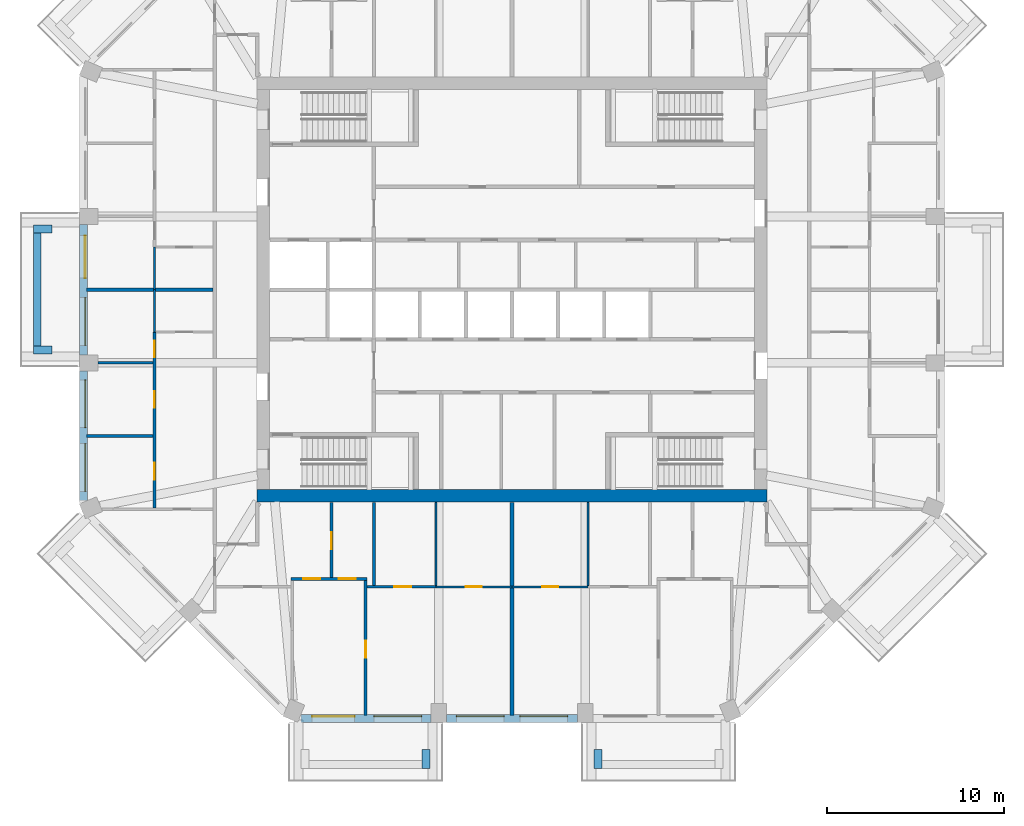
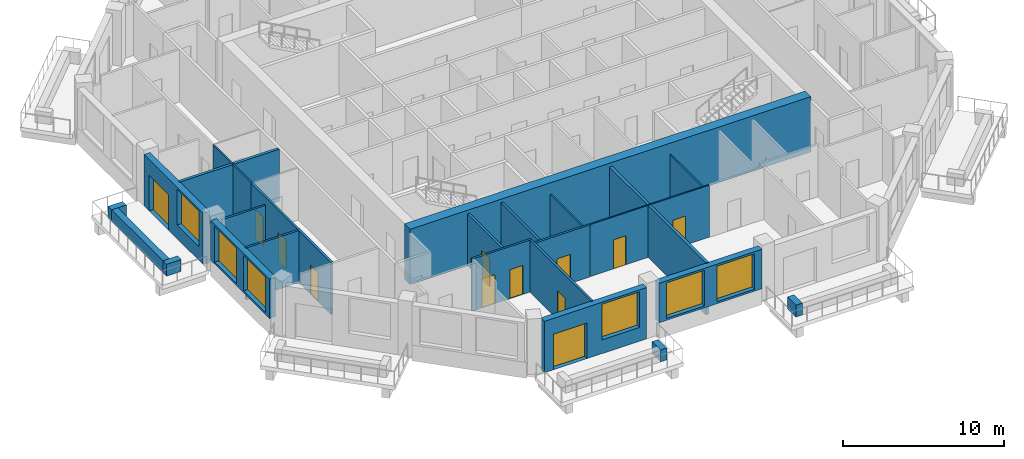
# One storey, part 3 of 12: 26 walls, 12 doors, 6 windows, 18 openings.
"""IFC4 building model written with IfcOpenShell, lengths in metres."""

from ifc_helpers import new_model, si_unit, direction, frame, frame_2d, origin, place, context, subcontext, project, spatial, rectangle, extrude, material, layer, layer_set, type_object, element, fill, save


model = new_model("IFC4")

# Units and contexts
model_context = context("Model", 3, precision=1e-05, world=origin(), true_north=direction((0.0, 1.0)))
body_context = subcontext(model_context, "Body", "Model", "MODEL_VIEW")
ifc_project = project(units=[si_unit("LENGTHUNIT", "METRE"), si_unit("AREAUNIT", "SQUARE_METRE"), si_unit("VOLUMEUNIT", "CUBIC_METRE"), si_unit("PLANEANGLEUNIT", "RADIAN"), si_unit("MASSUNIT", "GRAM", prefix="KILO")], contexts=[model_context])

# Site, building, storey
site_placement = place(None, origin())
site = spatial("IfcSite", under=ifc_project, at=site_placement, CompositionType="ELEMENT")
building_placement = place(site_placement, origin())
building = spatial("IfcBuilding", under=site, at=building_placement, Name="Msitu Wima Residences", CompositionType="ELEMENT")
storey_placement = place(building_placement, frame((0.0, 0.0, 179.10009765625)))
storey = spatial("IfcBuildingStorey", under=building, at=storey_placement, Name="L41", CompositionType="ELEMENT", Elevation=179.10009765625)

# Walls
ifc_material_1 = material(Name="Facing brick")
ifc_layer_1 = layer(ifc_material_1, 0.06494140625, Name="Facing brick")
ifc_material_2 = material(Name="Concrete C40/50", Category="concrete")
ifc_layer_2 = layer(ifc_material_2, 0.156005859375, Name="Concrete C40/50")
ifc_material_3 = material(Name="Waterproofing membrane")
ifc_layer_3 = layer(ifc_material_3, 0.00390625, Name="Waterproofing membrane")
ifc_material_4 = material(Name="Planting soil and planting")
ifc_layer_4 = layer(ifc_material_4, 0.22509765625, Name="Planting soil and planting")
ifc_layer_set_1 = layer_set([ifc_layer_1, ifc_layer_2, ifc_layer_3, ifc_layer_4], Name="Concrete C40/50")
wall_type_1 = type_object("IfcWallType", Name="Balcony planter PLANTER PL450", PredefinedType="USERDEFINED", material=ifc_layer_set_1)
wall_1_placement = place(storey_placement, frame((-26.824951171875, 3.187255859375, 0.0), z_axis=(0.0, 0.0, 1.0), x_axis=(0.0, -1.0, 0.0)))
element("IfcWall", 1, at=wall_1_placement, inside=storey, type_object=wall_type_1, Name="Balcony planter W1 L41", ObjectType="PLANTER", PredefinedType="USERDEFINED", context=body_context, shape_type="SweptSolid", body=[
    extrude(rectangle(XDim=6.37451171875, YDim=0.449951171875, at=frame_2d((3.187255859375, 0.0))), origin(), (0.0, 0.0, 1.0), 0.89990234375),
])
for number, where, z_axis, x_axis, name in (
    (2, (-26.0, 3.412353515625, 0.0), (0.0, 0.0, 1.0), (-1.0, 0.0, 0.0), "Balcony planter W1 L41"),
    (3, (-26.0, -3.412353515625, 0.0), (0.0, 0.0, 1.0), (-1.0, 0.0, 0.0), "Balcony planter W1 L41"),
    (4, (-4.8623046875, -26.0, 0.0), (0.0, 0.0, 1.0), (0.0, -1.0, 0.0), "Balcony planter S0 L41"),
    (5, (4.8623046875, -26.0, 0.0), (0.0, 0.0, 1.0), (0.0, -1.0, 0.0), "Balcony planter S2 L41"),
):
    element("IfcWall", number, at=place(storey_placement, frame(where, z_axis=z_axis, x_axis=x_axis)), inside=storey, type_object=wall_type_1, Name=name, ObjectType="PLANTER", PredefinedType="USERDEFINED", context=body_context, shape_type="SweptSolid", body=[
        extrude(rectangle(XDim=1.050048828125, YDim=0.449951171875, at=frame_2d((0.52490234375, 0.0))), origin(), (0.0, 0.0, 1.0), 0.89990234375),
    ])

# Wall, openings, door, window
ifc_material_5 = material(Name="Brick (red buff mix)", Category="masonry")
ifc_layer_5 = layer(ifc_material_5, 0.449951171875)
ifc_layer_set_2 = layer_set([ifc_layer_5], Name="Brick (red buff mix)")
wall_type_2 = type_object("IfcWallType", Name="Brick infill wall BW450", PredefinedType="SOLIDWALL", material=ifc_layer_set_2)
wall_2_placement = place(storey_placement, frame((-24.22509765625, 3.687255859375, 0.0), z_axis=(0.0, 0.0, 1.0), x_axis=(0.0, -1.0, 0.0)))
wall_2 = element("IfcWall", 6, at=wall_2_placement, inside=storey, type_object=wall_type_2, Name="Brick infill wall L41 W1", PredefinedType="SOLIDWALL", context=body_context, shape_type="SweptSolid", body=[
    extrude(rectangle(XDim=7.37451171875, YDim=0.449951171875, at=frame_2d((3.687255859375, 0.0))), origin(), (0.0, 0.0, 1.0), 3.89990234375),
])
opening_1_placement = place(wall_2_placement, frame((0.6435546875, 0.0, 0.0)))
opening_1 = element("IfcOpeningElement", 7, at=opening_1_placement, cuts=wall_2, Name="Opening D40-42.010", PredefinedType="OPENING", context=body_context, shape_type="SweptSolid", body=[
    extrude(rectangle(XDim=2.39990234375, YDim=2.699951171875, at=frame_2d((1.199951171875, 1.35009765625))), frame((0.0, 0.23486328125, 0.0), z_axis=(0.0, -1.0, 0.0), x_axis=(1.0, 0.0, 0.0)), (0.0, 0.0, 1.0), 0.469970703125),
])
opening_2_placement = place(wall_2_placement, frame((4.13720703125, 0.0, 1.050048828125)))
opening_2 = element("IfcOpeningElement", 8, at=opening_2_placement, cuts=wall_2, Name="Opening W40-42.028", PredefinedType="OPENING", context=body_context, shape_type="SweptSolid", body=[
    extrude(rectangle(XDim=2.699951171875, YDim=2.699951171875, at=frame_2d((1.35009765625, 1.35009765625))), frame((0.0, 0.23486328125, 0.0), z_axis=(0.0, -1.0, 0.0), x_axis=(1.0, 0.0, 0.0)), (0.0, 0.0, 1.0), 0.469970703125),
])
ifc_material_6 = material(Name="Anodised aluminium, bronze finish, clear low-emissivity double glazing", Category="aluminium")
door_type_1 = type_object("IfcDoorType", Name="Balcony door D2400x2700", OperationType="SLIDING_TO_LEFT", PredefinedType="DOOR", material=ifc_material_6)
door_1_placement = place(opening_1_placement, origin())
door_1 = element("IfcDoor", 9, at=door_1_placement, inside=storey, type_object=door_type_1, Name="Balcony door L41 W1", OperationType="SINGLE_SWING_LEFT", OverallHeight=2.699951171875, OverallWidth=2.39990234375, PredefinedType="DOOR", context=body_context, shape_type="SweptSolid", body=[
    extrude(rectangle(XDim=2.39990234375, YDim=2.699951171875, at=frame_2d((1.199951171875, 1.35009765625))), frame((0.0, 0.1298828125, 0.0), z_axis=(0.0, -1.0, 0.0), x_axis=(1.0, 0.0, 0.0)), (0.0, 0.0, 1.0), 0.050048828125),
])
fill(opening_1, door_1)
window_type = type_object("IfcWindowType", Name="Window W2700x2700", PartitioningType="DOUBLE_PANEL_VERTICAL", PredefinedType="WINDOW", material=ifc_material_6)
window_1_placement = place(opening_2_placement, origin())
window_1 = element("IfcWindow", 10, at=window_1_placement, inside=storey, type_object=window_type, Name="Window L41 W1.2", OverallHeight=2.699951171875, OverallWidth=2.699951171875, PartitioningType="SINGLE_PANEL", PredefinedType="WINDOW", context=body_context, shape_type="SweptSolid", body=[
    extrude(rectangle(XDim=2.699951171875, YDim=2.699951171875, at=frame_2d((1.35009765625, 1.35009765625))), frame((0.0, 0.135009765625, 0.0), z_axis=(0.0, -1.0, 0.0), x_axis=(1.0, 0.0, 0.0)), (0.0, 0.0, 1.0), 0.06005859375),
])
fill(opening_2, window_1)

# Wall, openings, windows
wall_3_placement = place(storey_placement, frame((-24.22509765625, -4.587158203125, 0.89990234375), z_axis=(0.0, 0.0, 1.0), x_axis=(0.0, -1.0, 0.0)))
wall_3 = element("IfcWall", 11, at=wall_3_placement, inside=storey, type_object=wall_type_2, Name="Brick infill wall L41 W2", PredefinedType="SOLIDWALL", context=body_context, shape_type="SweptSolid", body=[
    extrude(rectangle(XDim=7.337646484375, YDim=0.449951171875, at=frame_2d((3.6689453125, 0.0))), origin(), (0.0, 0.0, 1.0), 3.0),
])
opening_3_placement = place(wall_3_placement, frame((0.518798828125, 0.0, 0.14990234375)))
opening_3 = element("IfcOpeningElement", 12, at=opening_3_placement, cuts=wall_3, Name="Opening W40-42.029", PredefinedType="OPENING", context=body_context, shape_type="SweptSolid", body=[
    extrude(rectangle(XDim=2.699951171875, YDim=2.699951171875, at=frame_2d((1.35009765625, 1.35009765625))), frame((0.0, 0.23486328125, 0.0), z_axis=(0.0, -1.0, 0.0), x_axis=(1.0, 0.0, 0.0)), (0.0, 0.0, 1.0), 0.469970703125),
])
opening_4_placement = place(wall_3_placement, frame((4.11865234375, 0.0, 0.14990234375)))
opening_4 = element("IfcOpeningElement", 13, at=opening_4_placement, cuts=wall_3, Name="Opening W40-42.030", PredefinedType="OPENING", context=body_context, shape_type="SweptSolid", body=[
    extrude(rectangle(XDim=2.699951171875, YDim=2.699951171875, at=frame_2d((1.35009765625, 1.35009765625))), frame((0.0, 0.23486328125, 0.0), z_axis=(0.0, -1.0, 0.0), x_axis=(1.0, 0.0, 0.0)), (0.0, 0.0, 1.0), 0.469970703125),
])
window_2_placement = place(opening_3_placement, origin())
window_2 = element("IfcWindow", 14, at=window_2_placement, inside=storey, type_object=window_type, Name="Window L41 W2.1", OverallHeight=2.699951171875, OverallWidth=2.699951171875, PartitioningType="SINGLE_PANEL", PredefinedType="WINDOW", context=body_context, shape_type="SweptSolid", body=[
    extrude(rectangle(XDim=2.699951171875, YDim=2.699951171875, at=frame_2d((1.35009765625, 1.35009765625))), frame((0.0, 0.135009765625, 0.0), z_axis=(0.0, -1.0, 0.0), x_axis=(1.0, 0.0, 0.0)), (0.0, 0.0, 1.0), 0.06005859375),
])
fill(opening_3, window_2)
window_3_placement = place(opening_4_placement, origin())
window_3 = element("IfcWindow", 15, at=window_3_placement, inside=storey, type_object=window_type, Name="Window L41 W2.2", OverallHeight=2.699951171875, OverallWidth=2.699951171875, PartitioningType="SINGLE_PANEL", PredefinedType="WINDOW", context=body_context, shape_type="SweptSolid", body=[
    extrude(rectangle(XDim=2.699951171875, YDim=2.699951171875, at=frame_2d((1.35009765625, 1.35009765625))), frame((0.0, 0.135009765625, 0.0), z_axis=(0.0, -1.0, 0.0), x_axis=(1.0, 0.0, 0.0)), (0.0, 0.0, 1.0), 0.06005859375),
])
fill(opening_4, window_3)

# Wall, openings, door, window
wall_4_placement = place(storey_placement, frame((-11.9248046875, -24.22509765625, 0.0), z_axis=(0.0, 0.0, 1.0), x_axis=(1.0, 0.0, 0.0)))
wall_4 = element("IfcWall", 16, at=wall_4_placement, inside=storey, type_object=wall_type_2, Name="Brick infill wall L41 S0", PredefinedType="SOLIDWALL", context=body_context, shape_type="SweptSolid", body=[
    extrude(rectangle(XDim=7.337646484375, YDim=0.449951171875, at=frame_2d((3.6689453125, 0.0))), origin(), (0.0, 0.0, 1.0), 3.89990234375),
])
opening_5_placement = place(wall_4_placement, frame((0.63427734375, 0.0, 0.0)))
opening_5 = element("IfcOpeningElement", 17, at=opening_5_placement, cuts=wall_4, Name="Opening D40-42.006", PredefinedType="OPENING", context=body_context, shape_type="SweptSolid", body=[
    extrude(rectangle(XDim=2.39990234375, YDim=2.699951171875, at=frame_2d((1.199951171875, 1.35009765625))), frame((0.0, 0.23486328125, 0.0), z_axis=(0.0, -1.0, 0.0), x_axis=(1.0, 0.0, 0.0)), (0.0, 0.0, 1.0), 0.469970703125),
])
opening_6_placement = place(wall_4_placement, frame((4.11865234375, 0.0, 1.050048828125)))
opening_6 = element("IfcOpeningElement", 18, at=opening_6_placement, cuts=wall_4, Name="Opening W40-42.016", PredefinedType="OPENING", context=body_context, shape_type="SweptSolid", body=[
    extrude(rectangle(XDim=2.699951171875, YDim=2.699951171875, at=frame_2d((1.35009765625, 1.35009765625))), frame((0.0, 0.23486328125, 0.0), z_axis=(0.0, -1.0, 0.0), x_axis=(1.0, 0.0, 0.0)), (0.0, 0.0, 1.0), 0.469970703125),
])
door_2_placement = place(opening_5_placement, origin())
door_2 = element("IfcDoor", 19, at=door_2_placement, inside=storey, type_object=door_type_1, Name="Balcony door L41 S0", OperationType="SINGLE_SWING_LEFT", OverallHeight=2.699951171875, OverallWidth=2.39990234375, PredefinedType="DOOR", context=body_context, shape_type="SweptSolid", body=[
    extrude(rectangle(XDim=2.39990234375, YDim=2.699951171875, at=frame_2d((1.199951171875, 1.35009765625))), frame((0.0, 0.1298828125, 0.0), z_axis=(0.0, -1.0, 0.0), x_axis=(1.0, 0.0, 0.0)), (0.0, 0.0, 1.0), 0.050048828125),
])
fill(opening_5, door_2)
window_4_placement = place(opening_6_placement, origin())
window_4 = element("IfcWindow", 20, at=window_4_placement, inside=storey, type_object=window_type, Name="Window L41 S0.2", OverallHeight=2.699951171875, OverallWidth=2.699951171875, PartitioningType="SINGLE_PANEL", PredefinedType="WINDOW", context=body_context, shape_type="SweptSolid", body=[
    extrude(rectangle(XDim=2.699951171875, YDim=2.699951171875, at=frame_2d((1.35009765625, 1.35009765625))), frame((0.0, 0.135009765625, 0.0), z_axis=(0.0, -1.0, 0.0), x_axis=(1.0, 0.0, 0.0)), (0.0, 0.0, 1.0), 0.06005859375),
])
fill(opening_6, window_4)

# Wall, openings, windows
wall_5_placement = place(storey_placement, frame((-3.687255859375, -24.22509765625, 0.89990234375), z_axis=(0.0, 0.0, 1.0), x_axis=(1.0, 0.0, 0.0)))
wall_5 = element("IfcWall", 21, at=wall_5_placement, inside=storey, type_object=wall_type_2, Name="Brick infill wall L41 S1", PredefinedType="SOLIDWALL", context=body_context, shape_type="SweptSolid", body=[
    extrude(rectangle(XDim=7.37451171875, YDim=0.449951171875, at=frame_2d((3.687255859375, 0.0))), origin(), (0.0, 0.0, 1.0), 3.0),
])
opening_7_placement = place(wall_5_placement, frame((0.537353515625, 0.0, 0.14990234375)))
opening_7 = element("IfcOpeningElement", 22, at=opening_7_placement, cuts=wall_5, Name="Opening W40-42.017", PredefinedType="OPENING", context=body_context, shape_type="SweptSolid", body=[
    extrude(rectangle(XDim=2.699951171875, YDim=2.699951171875, at=frame_2d((1.35009765625, 1.35009765625))), frame((0.0, 0.23486328125, 0.0), z_axis=(0.0, -1.0, 0.0), x_axis=(1.0, 0.0, 0.0)), (0.0, 0.0, 1.0), 0.469970703125),
])
opening_8_placement = place(wall_5_placement, frame((4.13720703125, 0.0, 0.14990234375)))
opening_8 = element("IfcOpeningElement", 23, at=opening_8_placement, cuts=wall_5, Name="Opening W40-42.018", PredefinedType="OPENING", context=body_context, shape_type="SweptSolid", body=[
    extrude(rectangle(XDim=2.699951171875, YDim=2.699951171875, at=frame_2d((1.35009765625, 1.35009765625))), frame((0.0, 0.23486328125, 0.0), z_axis=(0.0, -1.0, 0.0), x_axis=(1.0, 0.0, 0.0)), (0.0, 0.0, 1.0), 0.469970703125),
])
window_5_placement = place(opening_7_placement, origin())
window_5 = element("IfcWindow", 24, at=window_5_placement, inside=storey, type_object=window_type, Name="Window L41 S1.1", OverallHeight=2.699951171875, OverallWidth=2.699951171875, PartitioningType="SINGLE_PANEL", PredefinedType="WINDOW", context=body_context, shape_type="SweptSolid", body=[
    extrude(rectangle(XDim=2.699951171875, YDim=2.699951171875, at=frame_2d((1.35009765625, 1.35009765625))), frame((0.0, 0.135009765625, 0.0), z_axis=(0.0, -1.0, 0.0), x_axis=(1.0, 0.0, 0.0)), (0.0, 0.0, 1.0), 0.06005859375),
])
fill(opening_7, window_5)
window_6_placement = place(opening_8_placement, origin())
window_6 = element("IfcWindow", 25, at=window_6_placement, inside=storey, type_object=window_type, Name="Window L41 S1.2", OverallHeight=2.699951171875, OverallWidth=2.699951171875, PartitioningType="SINGLE_PANEL", PredefinedType="WINDOW", context=body_context, shape_type="SweptSolid", body=[
    extrude(rectangle(XDim=2.699951171875, YDim=2.699951171875, at=frame_2d((1.35009765625, 1.35009765625))), frame((0.0, 0.135009765625, 0.0), z_axis=(0.0, -1.0, 0.0), x_axis=(1.0, 0.0, 0.0)), (0.0, 0.0, 1.0), 0.06005859375),
])
fill(opening_8, window_6)

# Walls
ifc_material_7 = material(Name="Concrete C60/75", Category="concrete")
ifc_layer_6 = layer(ifc_material_7, 0.699951171875)
ifc_layer_set_3 = layer_set([ifc_layer_6], Name="Concrete C60/75")
wall_type_3 = type_object("IfcWallType", Name="Core wall CW700 C60/75", PredefinedType="SHEAR", material=ifc_layer_set_3)
wall_6_placement = place(storey_placement, frame((-14.39990234375, -11.64990234375, 0.0), z_axis=(0.0, 0.0, 1.0), x_axis=(1.0, 0.0, 0.0)))
element("IfcWall", 26, at=wall_6_placement, inside=storey, type_object=wall_type_3, Name="Core wall", PredefinedType="SHEAR", context=body_context, shape_type="SweptSolid", body=[
    extrude(rectangle(XDim=28.7998046875, YDim=0.699951171875, at=frame_2d((14.39990234375, 0.0))), origin(), (0.0, 0.0, 1.0), 4.199951171875),
])
ifc_material_8 = material(Name="Plaster")
ifc_layer_7 = layer(ifc_material_8, 0.011962890625, Name="Plaster")
ifc_material_9 = material(Name="Concrete blockwork", Category="masonry")
ifc_layer_8 = layer(ifc_material_9, 0.1259765625, Name="Concrete blockwork")
ifc_layer_9 = layer(ifc_material_8, 0.011962890625, Name="Plaster")
ifc_layer_set_4 = layer_set([ifc_layer_7, ifc_layer_8, ifc_layer_9], Name="Concrete blockwork")
wall_type_4 = type_object("IfcWallType", Name="Partition PW150", PredefinedType="PARTITIONING", material=ifc_layer_set_4)
wall_7_placement = place(storey_placement, frame((-24.054931640625, -8.2744140625, 0.0), z_axis=(0.0, 0.0, 1.0), x_axis=(1.0, 0.0, 0.0)))
element("IfcWall", 27, at=wall_7_placement, inside=storey, type_object=wall_type_4, Name="Partition", PredefinedType="PARTITIONING", context=body_context, shape_type="SweptSolid", body=[
    extrude(rectangle(XDim=3.780029296875, YDim=0.14990234375, at=frame_2d((1.89013671875, 0.0))), origin(), (0.0, 0.0, 1.0), 3.949951171875),
])
wall_8_placement = place(storey_placement, frame((-23.39990234375, -4.13720703125, 0.0), z_axis=(0.0, 0.0, 1.0), x_axis=(1.0, 0.0, 0.0)))
element("IfcWall", 28, at=wall_8_placement, inside=storey, type_object=wall_type_4, Name="Partition", PredefinedType="PARTITIONING", context=body_context, shape_type="SweptSolid", body=[
    extrude(rectangle(XDim=3.125, YDim=0.14990234375, at=frame_2d((1.5625, 0.0))), origin(), (0.0, 0.0, 1.0), 3.349853515625),
])

# Wall, openings, doors
wall_9_placement = place(storey_placement, frame((-20.199951171875, -12.336669921875, 0.0), z_axis=(0.0, 0.0, 1.0), x_axis=(0.0, 1.0, 0.0)))
wall_9 = element("IfcWall", 29, at=wall_9_placement, inside=storey, type_object=wall_type_4, Name="Partition", PredefinedType="PARTITIONING", context=body_context, shape_type="SweptSolid", body=[
    extrude(rectangle(XDim=9.936767578125, YDim=0.14990234375, at=frame_2d((4.96826171875, 0.0))), origin(), (0.0, 0.0, 1.0), 3.949951171875),
])
opening_9_placement = place(wall_9_placement, frame((8.5, 0.0, 0.0)))
opening_9 = element("IfcOpeningElement", 30, at=opening_9_placement, cuts=wall_9, Name="Opening D40-42.050", PredefinedType="OPENING", context=body_context, shape_type="SweptSolid", body=[
    extrude(rectangle(XDim=0.949951171875, YDim=2.199951171875, at=frame_2d((0.47509765625, 1.10009765625))), frame((0.0, 0.0849609375, 0.0), z_axis=(0.0, -1.0, 0.0), x_axis=(1.0, 0.0, 0.0)), (0.0, 0.0, 1.0), 0.169921875),
])
opening_10_placement = place(wall_9_placement, frame((5.64990234375, 0.0, 0.0)))
opening_10 = element("IfcOpeningElement", 31, at=opening_10_placement, cuts=wall_9, Name="Opening D40-42.051", PredefinedType="OPENING", context=body_context, shape_type="SweptSolid", body=[
    extrude(rectangle(XDim=0.949951171875, YDim=2.199951171875, at=frame_2d((0.47509765625, 1.10009765625))), frame((0.0, 0.0849609375, 0.0), z_axis=(0.0, -1.0, 0.0), x_axis=(1.0, 0.0, 0.0)), (0.0, 0.0, 1.0), 0.169921875),
])
opening_11_placement = place(wall_9_placement, frame((1.60009765625, 0.0, 0.0)))
opening_11 = element("IfcOpeningElement", 32, at=opening_11_placement, cuts=wall_9, Name="Opening D40-42.052", PredefinedType="OPENING", context=body_context, shape_type="SweptSolid", body=[
    extrude(rectangle(XDim=0.949951171875, YDim=2.199951171875, at=frame_2d((0.47509765625, 1.10009765625))), frame((0.0, 0.0849609375, 0.0), z_axis=(0.0, -1.0, 0.0), x_axis=(1.0, 0.0, 0.0)), (0.0, 0.0, 1.0), 0.169921875),
])
ifc_material_10 = material(Name="Timber flush door", Category="wood")
door_type_2 = type_object("IfcDoorType", Name="Room door D12 950x2200", OperationType="SINGLE_SWING_LEFT", PredefinedType="DOOR", material=ifc_material_10)
door_3_placement = place(opening_9_placement, origin())
door_3 = element("IfcDoor", 33, at=door_3_placement, inside=storey, type_object=door_type_2, Name="Room door", OperationType="SINGLE_SWING_LEFT", OverallHeight=2.199951171875, OverallWidth=0.949951171875, PredefinedType="DOOR", context=body_context, shape_type="SweptSolid", body=[
    extrude(rectangle(XDim=0.949951171875, YDim=2.199951171875, at=frame_2d((0.47509765625, 1.10009765625))), frame((0.0, 0.02490234375, 0.0), z_axis=(0.0, -1.0, 0.0), x_axis=(1.0, 0.0, 0.0)), (0.0, 0.0, 1.0), 0.050048828125),
])
fill(opening_9, door_3)
door_4_placement = place(opening_10_placement, origin())
door_4 = element("IfcDoor", 34, at=door_4_placement, inside=storey, type_object=door_type_2, Name="Room door", OperationType="SINGLE_SWING_LEFT", OverallHeight=2.199951171875, OverallWidth=0.949951171875, PredefinedType="DOOR", context=body_context, shape_type="SweptSolid", body=[
    extrude(rectangle(XDim=0.949951171875, YDim=2.199951171875, at=frame_2d((0.47509765625, 1.10009765625))), frame((0.0, 0.02490234375, 0.0), z_axis=(0.0, -1.0, 0.0), x_axis=(1.0, 0.0, 0.0)), (0.0, 0.0, 1.0), 0.050048828125),
])
fill(opening_10, door_4)
door_5_placement = place(opening_11_placement, origin())
door_5 = element("IfcDoor", 35, at=door_5_placement, inside=storey, type_object=door_type_2, Name="Room door", OperationType="SINGLE_SWING_RIGHT", OverallHeight=2.199951171875, OverallWidth=0.949951171875, PredefinedType="DOOR", context=body_context, shape_type="SweptSolid", body=[
    extrude(rectangle(XDim=0.949951171875, YDim=2.199951171875, at=frame_2d((0.47509765625, 1.10009765625))), frame((0.0, 0.02490234375, 0.0), z_axis=(0.0, -1.0, 0.0), x_axis=(1.0, 0.0, 0.0)), (0.0, 0.0, 1.0), 0.050048828125),
])
fill(opening_11, door_5)

wall_10_placement = place(storey_placement, frame((-12.48681640625, -16.35009765625, 0.0), z_axis=(0.0, 0.0, 1.0), x_axis=(1.0, 0.0, 0.0)))
wall_10 = element("IfcWall", 36, at=wall_10_placement, inside=storey, type_object=wall_type_4, Name="Partition", PredefinedType="PARTITIONING", context=body_context, shape_type="SweptSolid", body=[
    extrude(rectangle(XDim=4.287353515625, YDim=0.14990234375, at=frame_2d((2.1435546875, 0.0))), origin(), (0.0, 0.0, 1.0), 3.949951171875),
])
opening_12_placement = place(wall_10_placement, frame((0.699951171875, 0.0, 0.0)))
opening_12 = element("IfcOpeningElement", 37, at=opening_12_placement, cuts=wall_10, Name="Opening D40-42.045", PredefinedType="OPENING", context=body_context, shape_type="SweptSolid", body=[
    extrude(rectangle(XDim=0.949951171875, YDim=2.199951171875, at=frame_2d((0.47509765625, 1.10009765625))), frame((0.0, 0.0849609375, 0.0), z_axis=(0.0, -1.0, 0.0), x_axis=(1.0, 0.0, 0.0)), (0.0, 0.0, 1.0), 0.169921875),
])
opening_13_placement = place(wall_10_placement, frame((2.699951171875, 0.0, 0.0)))
opening_13 = element("IfcOpeningElement", 38, at=opening_13_placement, cuts=wall_10, Name="Opening D40-42.044", PredefinedType="OPENING", context=body_context, shape_type="SweptSolid", body=[
    extrude(rectangle(XDim=0.949951171875, YDim=2.199951171875, at=frame_2d((0.47509765625, 1.10009765625))), frame((0.0, 0.0849609375, 0.0), z_axis=(0.0, -1.0, 0.0), x_axis=(1.0, 0.0, 0.0)), (0.0, 0.0, 1.0), 0.169921875),
])
door_6_placement = place(opening_12_placement, origin())
door_6 = element("IfcDoor", 39, at=door_6_placement, inside=storey, type_object=door_type_2, Name="Room door", OperationType="SINGLE_SWING_RIGHT", OverallHeight=2.199951171875, OverallWidth=0.949951171875, PredefinedType="DOOR", context=body_context, shape_type="SweptSolid", body=[
    extrude(rectangle(XDim=0.949951171875, YDim=2.199951171875, at=frame_2d((0.47509765625, 1.10009765625))), frame((0.0, 0.02490234375, 0.0), z_axis=(0.0, -1.0, 0.0), x_axis=(1.0, 0.0, 0.0)), (0.0, 0.0, 1.0), 0.050048828125),
])
fill(opening_12, door_6)
door_7_placement = place(opening_13_placement, origin())
door_7 = element("IfcDoor", 40, at=door_7_placement, inside=storey, type_object=door_type_2, Name="Room door", OperationType="SINGLE_SWING_LEFT", OverallHeight=2.199951171875, OverallWidth=0.949951171875, PredefinedType="DOOR", context=body_context, shape_type="SweptSolid", body=[
    extrude(rectangle(XDim=0.949951171875, YDim=2.199951171875, at=frame_2d((0.47509765625, 1.10009765625))), frame((0.0, 0.02490234375, 0.0), z_axis=(0.0, -1.0, 0.0), x_axis=(1.0, 0.0, 0.0)), (0.0, 0.0, 1.0), 0.050048828125),
])
fill(opening_13, door_7)

# Wall, opening, door
wall_11_placement = place(storey_placement, frame((-10.199951171875, -16.27490234375, 0.0), z_axis=(0.0, 0.0, 1.0), x_axis=(0.0, 1.0, 0.0)))
wall_11 = element("IfcWall", 41, at=wall_11_placement, inside=storey, type_object=wall_type_4, Name="Partition", PredefinedType="PARTITIONING", context=body_context, shape_type="SweptSolid", body=[
    extrude(rectangle(XDim=4.244873046875, YDim=0.14990234375, at=frame_2d((2.12255859375, 0.0))), origin(), (0.0, 0.0, 1.0), 3.949951171875),
])
opening_14_placement = place(wall_11_placement, frame((1.60009765625, 0.0, 0.0)))
opening_14 = element("IfcOpeningElement", 42, at=opening_14_placement, cuts=wall_11, Name="Opening D40-42.040", PredefinedType="OPENING", context=body_context, shape_type="SweptSolid", body=[
    extrude(rectangle(XDim=0.949951171875, YDim=2.199951171875, at=frame_2d((0.47509765625, 1.10009765625))), frame((0.0, 0.0849609375, 0.0), z_axis=(0.0, -1.0, 0.0), x_axis=(1.0, 0.0, 0.0)), (0.0, 0.0, 1.0), 0.169921875),
])
door_8_placement = place(opening_14_placement, origin())
door_8 = element("IfcDoor", 43, at=door_8_placement, inside=storey, type_object=door_type_2, Name="Room door", OperationType="SINGLE_SWING_RIGHT", OverallHeight=2.199951171875, OverallWidth=0.949951171875, PredefinedType="DOOR", context=body_context, shape_type="SweptSolid", body=[
    extrude(rectangle(XDim=0.949951171875, YDim=2.199951171875, at=frame_2d((0.47509765625, 1.10009765625))), frame((0.0, 0.02490234375, 0.0), z_axis=(0.0, -1.0, 0.0), x_axis=(1.0, 0.0, 0.0)), (0.0, 0.0, 1.0), 0.050048828125),
])
fill(opening_14, door_8)

wall_12_placement = place(storey_placement, frame((-8.2744140625, -24.054931640625, 0.0), z_axis=(0.0, 0.0, 1.0), x_axis=(0.0, 1.0, 0.0)))
wall_12 = element("IfcWall", 44, at=wall_12_placement, inside=storey, type_object=wall_type_4, Name="Partition", PredefinedType="PARTITIONING", context=body_context, shape_type="SweptSolid", body=[
    extrude(rectangle(XDim=7.6298828125, YDim=0.14990234375, at=frame_2d((3.81494140625, 0.0))), origin(), (0.0, 0.0, 1.0), 3.949951171875),
])
opening_15_placement = place(wall_12_placement, frame((3.25, 0.0, 0.0)))
opening_15 = element("IfcOpeningElement", 45, at=opening_15_placement, cuts=wall_12, Name="Opening D40-42.048", PredefinedType="OPENING", context=body_context, shape_type="SweptSolid", body=[
    extrude(rectangle(XDim=0.949951171875, YDim=2.199951171875, at=frame_2d((0.47509765625, 1.10009765625))), frame((0.0, 0.0849609375, 0.0), z_axis=(0.0, -1.0, 0.0), x_axis=(1.0, 0.0, 0.0)), (0.0, 0.0, 1.0), 0.169921875),
])
door_9_placement = place(opening_15_placement, origin())
door_9 = element("IfcDoor", 46, at=door_9_placement, inside=storey, type_object=door_type_2, Name="Room door", OperationType="SINGLE_SWING_LEFT", OverallHeight=2.199951171875, OverallWidth=0.949951171875, PredefinedType="DOOR", context=body_context, shape_type="SweptSolid", body=[
    extrude(rectangle(XDim=0.949951171875, YDim=2.199951171875, at=frame_2d((0.47509765625, 1.10009765625))), frame((0.0, 0.02490234375, 0.0), z_axis=(0.0, -1.0, 0.0), x_axis=(1.0, 0.0, 0.0)), (0.0, 0.0, 1.0), 0.050048828125),
])
fill(opening_15, door_9)

wall_13_placement = place(storey_placement, frame((-8.199462890625, -16.800048828125, 0.0), z_axis=(0.0, 0.0, 1.0), x_axis=(1.0, 0.0, 0.0)))
wall_13 = element("IfcWall", 47, at=wall_13_placement, inside=storey, type_object=wall_type_4, Name="Partition", PredefinedType="PARTITIONING", context=body_context, shape_type="SweptSolid", body=[
    extrude(rectangle(XDim=3.8994140625, YDim=0.14990234375, at=frame_2d((1.94970703125, 0.0))), origin(), (0.0, 0.0, 1.0), 3.949951171875),
])
opening_16_placement = place(wall_13_placement, frame((1.550048828125, 0.0, 0.0)))
opening_16 = element("IfcOpeningElement", 48, at=opening_16_placement, cuts=wall_13, Name="Opening D40-42.042", PredefinedType="OPENING", context=body_context, shape_type="SweptSolid", body=[
    extrude(rectangle(XDim=0.949951171875, YDim=2.199951171875, at=frame_2d((0.47509765625, 1.10009765625))), frame((0.0, 0.0849609375, 0.0), z_axis=(0.0, -1.0, 0.0), x_axis=(1.0, 0.0, 0.0)), (0.0, 0.0, 1.0), 0.169921875),
])
door_10_placement = place(opening_16_placement, origin())
door_10 = element("IfcDoor", 49, at=door_10_placement, inside=storey, type_object=door_type_2, Name="Room door", OperationType="SINGLE_SWING_RIGHT", OverallHeight=2.199951171875, OverallWidth=0.949951171875, PredefinedType="DOOR", context=body_context, shape_type="SweptSolid", body=[
    extrude(rectangle(XDim=0.949951171875, YDim=2.199951171875, at=frame_2d((0.47509765625, 1.10009765625))), frame((0.0, 0.02490234375, 0.0), z_axis=(0.0, -1.0, 0.0), x_axis=(1.0, 0.0, 0.0)), (0.0, 0.0, 1.0), 0.050048828125),
])
fill(opening_16, door_10)

# Walls
wall_14_placement = place(storey_placement, frame((-7.800048828125, -16.72509765625, 0.0), z_axis=(0.0, 0.0, 1.0), x_axis=(0.0, 1.0, 0.0)))
element("IfcWall", 50, at=wall_14_placement, inside=storey, type_object=wall_type_4, Name="Partition", PredefinedType="PARTITIONING", context=body_context, shape_type="SweptSolid", body=[
    extrude(rectangle(XDim=4.695068359375, YDim=0.14990234375, at=frame_2d((2.34765625, 0.0))), origin(), (0.0, 0.0, 1.0), 3.949951171875),
])
ifc_layer_10 = layer(ifc_material_8, 0.011962890625, Name="Plaster")
ifc_material_11 = material(Name="Dense concrete blockwork", Category="masonry")
ifc_layer_11 = layer(ifc_material_11, 0.176025390625, Name="Dense concrete blockwork")
ifc_layer_12 = layer(ifc_material_8, 0.011962890625, Name="Plaster")
ifc_layer_set_5 = layer_set([ifc_layer_10, ifc_layer_11, ifc_layer_12], Name="Dense concrete blockwork")
wall_type_5 = type_object("IfcWallType", Name="Party wall PW200", PredefinedType="PARTITIONING", material=ifc_layer_set_5)
wall_15_placement = place(storey_placement, frame((-24.054931640625, 0.0, 0.0), z_axis=(0.0, 0.0, 1.0), x_axis=(1.0, 0.0, 0.0)))
element("IfcWall", 51, at=wall_15_placement, inside=storey, type_object=wall_type_5, Name="Party wall", PredefinedType="PARTITIONING", context=body_context, shape_type="SweptSolid", body=[
    extrude(rectangle(XDim=7.155029296875, YDim=0.199951171875, at=frame_2d((3.57763671875, 0.0))), origin(), (0.0, 0.0, 1.0), 3.949951171875),
])
wall_16_placement = place(storey_placement, frame((0.0, -24.054931640625, 0.0), z_axis=(0.0, 0.0, 1.0), x_axis=(0.0, 1.0, 0.0)))
element("IfcWall", 52, at=wall_16_placement, inside=storey, type_object=wall_type_5, Name="Party wall", PredefinedType="PARTITIONING", context=body_context, shape_type="SweptSolid", body=[
    extrude(rectangle(XDim=12.02490234375, YDim=0.199951171875, at=frame_2d((6.012451171875, 0.0))), origin(), (0.0, 0.0, 1.0), 3.949951171875),
])
ifc_material_12 = material(Name="Ceramic tiles")
ifc_layer_13 = layer(ifc_material_12, 0.008056640625, Name="Ceramic tiles")
ifc_material_13 = material(Name="Moisture-resistant board")
ifc_layer_14 = layer(ifc_material_13, 0.012451171875, Name="Moisture-resistant board")
ifc_material_14 = material(Name="Light-gauge stud framing with mineral wool")
ifc_layer_15 = layer(ifc_material_14, 0.06689453125, Name="Light-gauge stud framing with mineral wool")
ifc_layer_16 = layer(ifc_material_13, 0.012451171875, Name="Moisture-resistant board")
ifc_layer_set_6 = layer_set([ifc_layer_13, ifc_layer_14, ifc_layer_15, ifc_layer_16], Name="Light-gauge stud framing with mineral wool")
wall_type_6 = type_object("IfcWallType", Name="Wet wall PW100", PredefinedType="PARTITIONING", material=ifc_layer_set_6)
for number, where, z_axis, x_axis, name in (
    (53, (-20.199951171875, -2.39990234375, 0.0), (0.0, 0.0, 1.0), (0.0, 1.0, 0.0), "Wet wall"),
    (54, (-20.199951171875, 0.0, 0.0), (0.0, 0.0, 1.0), (0.0, 1.0, 0.0), "Wet wall"),
):
    element("IfcWall", number, at=place(storey_placement, frame(where, z_axis=z_axis, x_axis=x_axis)), inside=storey, type_object=wall_type_6, Name=name, PredefinedType="PARTITIONING", context=body_context, shape_type="SweptSolid", body=[
        extrude(rectangle(XDim=2.39990234375, YDim=0.10009765625, at=frame_2d((1.199951171875, 0.0))), origin(), (0.0, 0.0, 1.0), 3.949951171875),
    ])
wall_17_placement = place(storey_placement, frame((-4.300048828125, -16.72509765625, 0.0), z_axis=(0.0, 0.0, 1.0), x_axis=(0.0, 1.0, 0.0)))
element("IfcWall", 55, at=wall_17_placement, inside=storey, type_object=wall_type_6, Name="Wet wall", PredefinedType="PARTITIONING", context=body_context, shape_type="SweptSolid", body=[
    extrude(rectangle(XDim=4.695068359375, YDim=0.10009765625, at=frame_2d((2.34765625, 0.0))), origin(), (0.0, 0.0, 1.0), 3.349853515625),
])

# Wall, opening, door
wall_18_placement = place(storey_placement, frame((-4.300048828125, -16.800048828125, 0.0), z_axis=(0.0, 0.0, 1.0), x_axis=(1.0, 0.0, 0.0)))
wall_18 = element("IfcWall", 56, at=wall_18_placement, inside=storey, type_object=wall_type_6, Name="Wet wall", PredefinedType="PARTITIONING", context=body_context, shape_type="SweptSolid", body=[
    extrude(rectangle(XDim=4.300048828125, YDim=0.10009765625, at=frame_2d((2.14990234375, 0.0))), origin(), (0.0, 0.0, 1.0), 3.949951171875),
])
opening_17_placement = place(wall_18_placement, frame((1.699951171875, 0.0, 0.0)))
opening_17 = element("IfcOpeningElement", 57, at=opening_17_placement, cuts=wall_18, Name="Opening D40-42.041", PredefinedType="OPENING", context=body_context, shape_type="SweptSolid", body=[
    extrude(rectangle(XDim=0.89990234375, YDim=2.199951171875, at=frame_2d((0.449951171875, 1.10009765625))), frame((0.0, 0.06005859375, 0.0), z_axis=(0.0, -1.0, 0.0), x_axis=(1.0, 0.0, 0.0)), (0.0, 0.0, 1.0), 0.1201171875),
])
ifc_material_15 = material(Name="Timber flush door, moisture resistant", Category="wood")
door_type_3 = type_object("IfcDoorType", Name="Bathroom door D03 900x2200", OperationType="SINGLE_SWING_LEFT", PredefinedType="DOOR", material=ifc_material_15)
door_11_placement = place(opening_17_placement, origin())
door_11 = element("IfcDoor", 58, at=door_11_placement, inside=storey, type_object=door_type_3, Name="Bathroom door", OperationType="SINGLE_SWING_RIGHT", OverallHeight=2.199951171875, OverallWidth=0.89990234375, PredefinedType="DOOR", context=body_context, shape_type="SweptSolid", body=[
    extrude(rectangle(XDim=0.89990234375, YDim=2.199951171875, at=frame_2d((0.449951171875, 1.10009765625))), frame((0.0, 0.02490234375, 0.0), z_axis=(0.0, -1.0, 0.0), x_axis=(1.0, 0.0, 0.0)), (0.0, 0.0, 1.0), 0.050048828125),
])
fill(opening_17, door_11)

wall_19_placement = place(storey_placement, frame((0.0, -16.800048828125, 0.0), z_axis=(0.0, 0.0, 1.0), x_axis=(1.0, 0.0, 0.0)))
wall_19 = element("IfcWall", 59, at=wall_19_placement, inside=storey, type_object=wall_type_6, Name="Wet wall", PredefinedType="PARTITIONING", context=body_context, shape_type="SweptSolid", body=[
    extrude(rectangle(XDim=4.300048828125, YDim=0.10009765625, at=frame_2d((2.14990234375, 0.0))), origin(), (0.0, 0.0, 1.0), 3.949951171875),
])
opening_18_placement = place(wall_19_placement, frame((1.699951171875, 0.0, 0.0)))
opening_18 = element("IfcOpeningElement", 60, at=opening_18_placement, cuts=wall_19, Name="Opening D40-42.055", PredefinedType="OPENING", context=body_context, shape_type="SweptSolid", body=[
    extrude(rectangle(XDim=0.89990234375, YDim=2.199951171875, at=frame_2d((0.449951171875, 1.10009765625))), frame((0.0, 0.06005859375, 0.0), z_axis=(0.0, -1.0, 0.0), x_axis=(1.0, 0.0, 0.0)), (0.0, 0.0, 1.0), 0.1201171875),
])
door_12_placement = place(opening_18_placement, origin())
door_12 = element("IfcDoor", 61, at=door_12_placement, inside=storey, type_object=door_type_3, Name="Bathroom door", OperationType="SINGLE_SWING_LEFT", OverallHeight=2.199951171875, OverallWidth=0.89990234375, PredefinedType="DOOR", context=body_context, shape_type="SweptSolid", body=[
    extrude(rectangle(XDim=0.89990234375, YDim=2.199951171875, at=frame_2d((0.449951171875, 1.10009765625))), frame((0.0, 0.02490234375, 0.0), z_axis=(0.0, -1.0, 0.0), x_axis=(1.0, 0.0, 0.0)), (0.0, 0.0, 1.0), 0.050048828125),
])
fill(opening_18, door_12)

# Wall
wall_20_placement = place(storey_placement, frame((4.300048828125, -16.72509765625, 0.0), z_axis=(0.0, 0.0, 1.0), x_axis=(0.0, 1.0, 0.0)))
element("IfcWall", 62, at=wall_20_placement, inside=storey, type_object=wall_type_6, Name="Wet wall", PredefinedType="PARTITIONING", context=body_context, shape_type="SweptSolid", body=[
    extrude(rectangle(XDim=4.695068359375, YDim=0.10009765625, at=frame_2d((2.34765625, 0.0))), origin(), (0.0, 0.0, 1.0), 3.349853515625),
])

save(model, "model.ifc")
